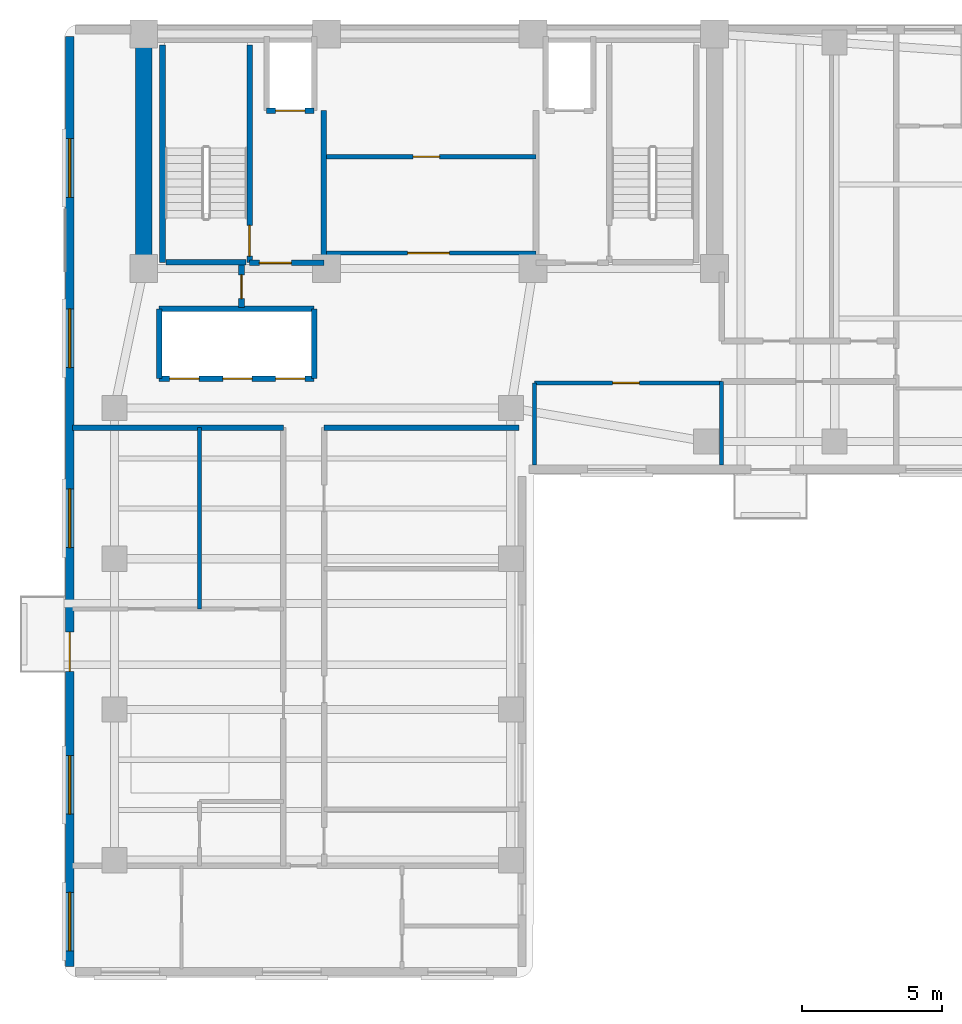
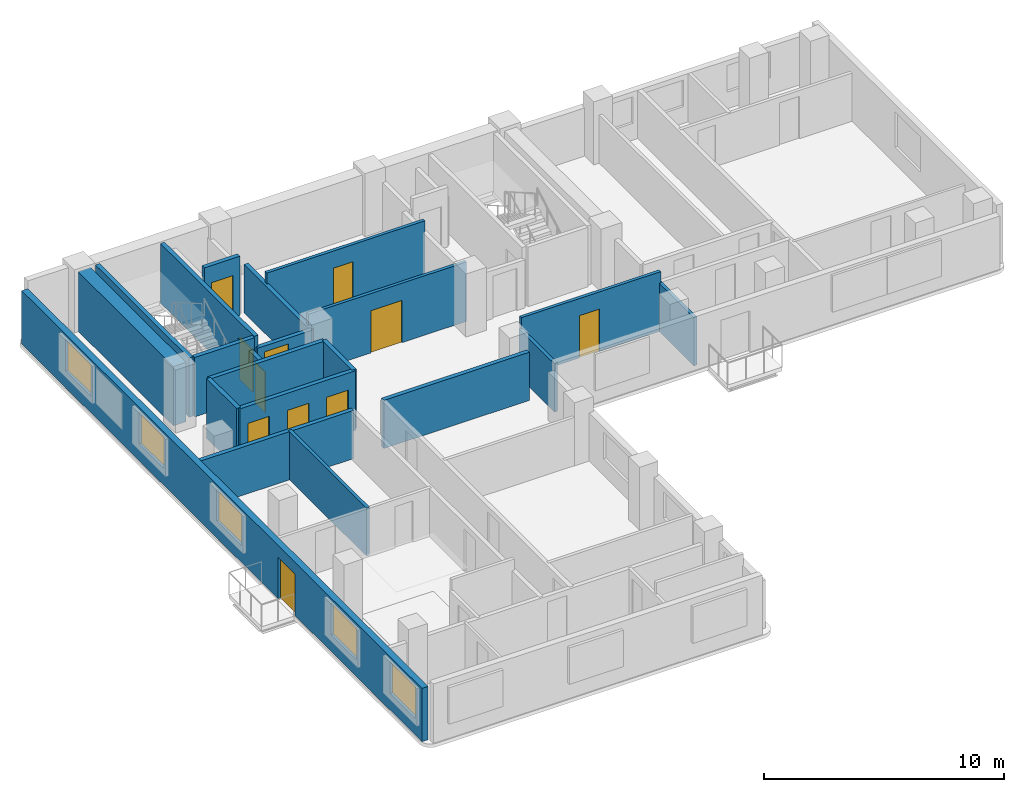
# One storey, part 3 of 7: 21 walls, 11 doors, 5 windows, 16 openings.
"""IFC4 building model written with IfcOpenShell, lengths in metres."""

from ifc_helpers import new_model, si_unit, direction, frame, frame_2d, origin, place, context, subcontext, project, spatial, rectangle, extrude, material, layer, layer_set, type_object, element, fill, save


model = new_model("IFC4")

# Units and contexts
model_context = context("Model", 3, precision=1e-05, world=origin(), true_north=direction((0.0, 1.0)))
body_context = subcontext(model_context, "Body", "Model", "MODEL_VIEW")
ifc_project = project(units=[si_unit("LENGTHUNIT", "METRE"), si_unit("AREAUNIT", "SQUARE_METRE"), si_unit("VOLUMEUNIT", "CUBIC_METRE"), si_unit("PLANEANGLEUNIT", "RADIAN"), si_unit("MASSUNIT", "GRAM", prefix="KILO")], contexts=[model_context])

# Site, building, storey
site_placement = place(None, origin())
site = spatial("IfcSite", under=ifc_project, at=site_placement, CompositionType="ELEMENT")
building_placement = place(site_placement, origin())
building = spatial("IfcBuilding", under=site, at=building_placement, Name="Kuzgunbayir Cultural Tower", CompositionType="ELEMENT")
storey_placement = place(building_placement, frame((0.0, 0.0, 185.60009765625)))
storey = spatial("IfcBuildingStorey", under=building, at=storey_placement, Name="L54", CompositionType="ELEMENT", Elevation=185.60009765625)

# Wall
ifc_material_1 = material(Name="Concrete C60/75", Category="concrete")
ifc_layer_1 = layer(ifc_material_1, 0.60009765625)
ifc_layer_set_1 = layer_set([ifc_layer_1], Name="Concrete C60/75")
wall_type_1 = type_object("IfcWallType", Name="WAL-CORE-600", PredefinedType="SHEAR", material=ifc_layer_set_1)
wall_1_placement = place(storey_placement, frame((6.449951171875, 33.800048828125, 0.0), z_axis=(0.0, 0.0, 1.0), x_axis=(0.0, 1.0, 0.0)))
element("IfcWall", 1, at=wall_1_placement, inside=storey, type_object=wall_type_1, Name="L54 T1 Core West Shear Wall", PredefinedType="SHEAR", context=body_context, shape_type="SweptSolid", body=[
    extrude(rectangle(XDim=7.949951171875, YDim=0.60009765625, at=frame_2d((3.97509765625, 0.0))), origin(), (0.0, 0.0, 1.0), 3.02001953125),
])

# Wall, openings, door, windows
ifc_material_2 = material(Name="Anatolian Cream Limestone", Category="masonry")
ifc_layer_2 = layer(ifc_material_2, 0.300048828125)
ifc_layer_set_2 = layer_set([ifc_layer_2], Name="Anatolian Cream Limestone")
wall_type_2 = type_object("IfcWallType", Name="WAL-EXT-STONE-300", PredefinedType="STANDARD", material=ifc_layer_set_2)
wall_2_placement = place(storey_placement, frame((3.800048828125, 42.10009765625, 0.0), z_axis=(0.0, 0.0, 1.0), x_axis=(0.0, -1.0, 0.0)))
wall_2 = element("IfcWall", 2, at=wall_2_placement, inside=storey, type_object=wall_type_2, Name="L54 Wing A West Limestone Wall", PredefinedType="STANDARD", context=body_context, shape_type="SweptSolid", body=[
    extrude(rectangle(XDim=33.300048828125, YDim=0.300048828125, at=frame_2d((16.64990234375, 0.0))), origin(), (0.0, 0.0, 1.0), 2.7099609375),
])
opening_1_placement = place(wall_2_placement, frame((21.330078125, 0.0, 0.0)))
opening_1 = element("IfcOpeningElement", 3, at=opening_1_placement, cuts=wall_2, Name="Opening BD-15", PredefinedType="OPENING", context=body_context, shape_type="SweptSolid", body=[
    extrude(rectangle(XDim=1.39990234375, YDim=2.10009765625, at=frame_2d((0.699951171875, 1.050048828125))), frame((0.0, 0.16015625, 0.0), z_axis=(0.0, -1.0, 0.0), x_axis=(1.0, 0.0, 0.0)), (0.0, 0.0, 1.0), 0.320068359375),
])
opening_2_placement = place(wall_2_placement, frame((16.199951171875, 0.0, 0.85009765625)))
opening_2 = element("IfcOpeningElement", 4, at=opening_2_placement, cuts=wall_2, Name="Opening WR-21", PredefinedType="OPENING", context=body_context, shape_type="SweptSolid", body=[
    extrude(rectangle(XDim=2.10009765625, YDim=1.610107421875, at=frame_2d((1.050048828125, 0.80517578125))), frame((0.0, 0.16015625, 0.0), z_axis=(0.0, -1.0, 0.0), x_axis=(1.0, 0.0, 0.0)), (0.0, 0.0, 1.0), 0.320068359375),
])
opening_3_placement = place(wall_2_placement, frame((30.64990234375, 0.0, 0.85009765625)))
opening_3 = element("IfcOpeningElement", 5, at=opening_3_placement, cuts=wall_2, Name="Opening WR-21", PredefinedType="OPENING", context=body_context, shape_type="SweptSolid", body=[
    extrude(rectangle(XDim=2.10009765625, YDim=1.610107421875, at=frame_2d((1.050048828125, 0.80517578125))), frame((0.0, 0.16015625, 0.0), z_axis=(0.0, -1.0, 0.0), x_axis=(1.0, 0.0, 0.0)), (0.0, 0.0, 1.0), 0.320068359375),
])
opening_4_placement = place(wall_2_placement, frame((25.75, 0.0, 0.85009765625)))
opening_4 = element("IfcOpeningElement", 6, at=opening_4_placement, cuts=wall_2, Name="Opening WR-21", PredefinedType="OPENING", context=body_context, shape_type="SweptSolid", body=[
    extrude(rectangle(XDim=2.10009765625, YDim=1.610107421875, at=frame_2d((1.050048828125, 0.80517578125))), frame((0.0, 0.16015625, 0.0), z_axis=(0.0, -1.0, 0.0), x_axis=(1.0, 0.0, 0.0)), (0.0, 0.0, 1.0), 0.320068359375),
])
opening_5_placement = place(wall_2_placement, frame((9.75, 0.0, 0.85009765625)))
opening_5 = element("IfcOpeningElement", 7, at=opening_5_placement, cuts=wall_2, Name="Opening WR-21", PredefinedType="OPENING", context=body_context, shape_type="SweptSolid", body=[
    extrude(rectangle(XDim=2.10009765625, YDim=1.610107421875, at=frame_2d((1.050048828125, 0.80517578125))), frame((0.0, 0.16015625, 0.0), z_axis=(0.0, -1.0, 0.0), x_axis=(1.0, 0.0, 0.0)), (0.0, 0.0, 1.0), 0.320068359375),
])
opening_6_placement = place(wall_2_placement, frame((3.64990234375, 0.0, 0.85009765625)))
opening_6 = element("IfcOpeningElement", 8, at=opening_6_placement, cuts=wall_2, Name="Opening WR-21", PredefinedType="OPENING", context=body_context, shape_type="SweptSolid", body=[
    extrude(rectangle(XDim=2.10009765625, YDim=1.610107421875, at=frame_2d((1.050048828125, 0.80517578125))), frame((0.0, 0.16015625, 0.0), z_axis=(0.0, -1.0, 0.0), x_axis=(1.0, 0.0, 0.0)), (0.0, 0.0, 1.0), 0.320068359375),
])
ifc_material_3 = material(Name="Thermally Broken Glazed Aluminium", Category="aluminium")
door_type_1 = type_object("IfcDoorType", Name="DR-BALCONY-150", OperationType="SLIDING_TO_RIGHT", PredefinedType="DOOR", material=ifc_material_3)
door_1_placement = place(opening_1_placement, origin())
door_1 = element("IfcDoor", 9, at=door_1_placement, inside=storey, type_object=door_type_1, Name="L54 West Balcony Sliding Door BAL-L54-WA2", OperationType="SLIDING_TO_RIGHT", OverallHeight=2.10009765625, OverallWidth=1.39990234375, PredefinedType="DOOR", context=body_context, shape_type="SweptSolid", body=[
    extrude(rectangle(XDim=1.39990234375, YDim=2.10009765625, at=frame_2d((0.699951171875, 1.050048828125))), frame((0.0, 0.02490234375, 0.0), z_axis=(0.0, -1.0, 0.0), x_axis=(1.0, 0.0, 0.0)), (0.0, 0.0, 1.0), 0.050048828125),
])
fill(opening_1, door_1)
ifc_material_4 = material(Name="Solar-Control Triple Glazing", Category="glass")
window_type = type_object("IfcWindowType", Name="WIN-RESID-21", PartitioningType="SINGLE_PANEL", PredefinedType="WINDOW", material=ifc_material_4)
window_1_placement = place(opening_2_placement, origin())
window_1 = element("IfcWindow", 10, at=window_1_placement, inside=storey, type_object=window_type, Name="L54 WAW Facade Window 5", OverallHeight=1.610107421875, OverallWidth=2.10009765625, PartitioningType="SINGLE_PANEL", PredefinedType="WINDOW", context=body_context, shape_type="SweptSolid", body=[
    extrude(rectangle(XDim=2.10009765625, YDim=1.610107421875, at=frame_2d((1.050048828125, 0.80517578125))), frame((0.0, 0.030029296875, 0.0), z_axis=(0.0, -1.0, 0.0), x_axis=(1.0, 0.0, 0.0)), (0.0, 0.0, 1.0), 0.06005859375),
])
fill(opening_2, window_1)
window_2_placement = place(opening_3_placement, origin())
window_2 = element("IfcWindow", 11, at=window_2_placement, inside=storey, type_object=window_type, Name="L54 WAW Facade Window 11", OverallHeight=1.610107421875, OverallWidth=2.10009765625, PartitioningType="SINGLE_PANEL", PredefinedType="WINDOW", context=body_context, shape_type="SweptSolid", body=[
    extrude(rectangle(XDim=2.10009765625, YDim=1.610107421875, at=frame_2d((1.050048828125, 0.80517578125))), frame((0.0, 0.030029296875, 0.0), z_axis=(0.0, -1.0, 0.0), x_axis=(1.0, 0.0, 0.0)), (0.0, 0.0, 1.0), 0.06005859375),
])
fill(opening_3, window_2)
window_3_placement = place(opening_4_placement, origin())
window_3 = element("IfcWindow", 12, at=window_3_placement, inside=storey, type_object=window_type, Name="L54 WAW Facade Window 12", OverallHeight=1.610107421875, OverallWidth=2.10009765625, PartitioningType="SINGLE_PANEL", PredefinedType="WINDOW", context=body_context, shape_type="SweptSolid", body=[
    extrude(rectangle(XDim=2.10009765625, YDim=1.610107421875, at=frame_2d((1.050048828125, 0.80517578125))), frame((0.0, 0.030029296875, 0.0), z_axis=(0.0, -1.0, 0.0), x_axis=(1.0, 0.0, 0.0)), (0.0, 0.0, 1.0), 0.06005859375),
])
fill(opening_4, window_3)
window_4_placement = place(opening_5_placement, origin())
window_4 = element("IfcWindow", 13, at=window_4_placement, inside=storey, type_object=window_type, Name="L54 WAW Facade Window 13", OverallHeight=1.610107421875, OverallWidth=2.10009765625, PartitioningType="SINGLE_PANEL", PredefinedType="WINDOW", context=body_context, shape_type="SweptSolid", body=[
    extrude(rectangle(XDim=2.10009765625, YDim=1.610107421875, at=frame_2d((1.050048828125, 0.80517578125))), frame((0.0, 0.030029296875, 0.0), z_axis=(0.0, -1.0, 0.0), x_axis=(1.0, 0.0, 0.0)), (0.0, 0.0, 1.0), 0.06005859375),
])
fill(opening_5, window_4)
window_5_placement = place(opening_6_placement, origin())
window_5 = element("IfcWindow", 14, at=window_5_placement, inside=storey, type_object=window_type, Name="L54 WAW Facade Window 14", OverallHeight=1.610107421875, OverallWidth=2.10009765625, PartitioningType="SINGLE_PANEL", PredefinedType="WINDOW", context=body_context, shape_type="SweptSolid", body=[
    extrude(rectangle(XDim=2.10009765625, YDim=1.610107421875, at=frame_2d((1.050048828125, 0.80517578125))), frame((0.0, 0.030029296875, 0.0), z_axis=(0.0, -1.0, 0.0), x_axis=(1.0, 0.0, 0.0)), (0.0, 0.0, 1.0), 0.06005859375),
])
fill(opening_6, window_5)

# Wall, opening, door
ifc_material_5 = material(Name="Acoustic Double-Stud Drywall", Category="gypsum")
ifc_layer_3 = layer(ifc_material_5, 0.14990234375)
ifc_layer_set_3 = layer_set([ifc_layer_3], Name="Acoustic Double-Stud Drywall")
wall_type_3 = type_object("IfcWallType", Name="WAL-PART-ACOUSTIC-150", PredefinedType="PARTITIONING", material=ifc_layer_set_3)
wall_3_placement = place(storey_placement, frame((12.89990234375, 34.35009765625, 0.0), z_axis=(0.0, 0.0, 1.0), x_axis=(1.0, 0.0, 0.0)))
wall_3 = element("IfcWall", 15, at=wall_3_placement, inside=storey, type_object=wall_type_3, Name="L54 Sky Core South Wall", PredefinedType="PARTITIONING", context=body_context, shape_type="SweptSolid", body=[
    extrude(rectangle(XDim=7.60009765625, YDim=0.14990234375, at=frame_2d((3.800048828125, 0.0))), origin(), (0.0, 0.0, 1.0), 3.02001953125),
])
opening_7_placement = place(wall_3_placement, frame((3.0, 0.0, 0.0)))
opening_7 = element("IfcOpeningElement", 16, at=opening_7_placement, cuts=wall_3, Name="Opening DC-150", PredefinedType="OPENING", context=body_context, shape_type="SweptSolid", body=[
    extrude(rectangle(XDim=1.5, YDim=2.14990234375, at=frame_2d((0.75, 1.074951171875))), frame((0.0, 0.0849609375, 0.0), z_axis=(0.0, -1.0, 0.0), x_axis=(1.0, 0.0, 0.0)), (0.0, 0.0, 1.0), 0.169921875),
])
ifc_material_6 = material(Name="Fire-Rated Veneered Oak Double Leaf", Category="wood")
door_type_2 = type_object("IfcDoorType", Name="DR-CORE-150", OperationType="DOUBLE_DOOR_SINGLE_SWING", PredefinedType="DOOR", material=ifc_material_6)
door_2_placement = place(opening_7_placement, origin())
door_2 = element("IfcDoor", 17, at=door_2_placement, inside=storey, type_object=door_type_2, Name="L54 Sky Conservatory Double Door", OperationType="DOUBLE_DOOR_SINGLE_SWING", OverallHeight=2.14990234375, OverallWidth=1.5, PredefinedType="DOOR", context=body_context, shape_type="SweptSolid", body=[
    extrude(rectangle(XDim=1.5, YDim=2.14990234375, at=frame_2d((0.75, 1.074951171875))), frame((0.0, 0.02490234375, 0.0), z_axis=(0.0, -1.0, 0.0), x_axis=(1.0, 0.0, 0.0)), (0.0, 0.0, 1.0), 0.050048828125),
])
fill(opening_7, door_2)

wall_4_placement = place(storey_placement, frame((12.89990234375, 37.800048828125, 0.0), z_axis=(0.0, 0.0, 1.0), x_axis=(1.0, 0.0, 0.0)))
wall_4 = element("IfcWall", 18, at=wall_4_placement, inside=storey, type_object=wall_type_3, Name="L54 Sky Core Mid Wall", PredefinedType="PARTITIONING", context=body_context, shape_type="SweptSolid", body=[
    extrude(rectangle(XDim=7.60009765625, YDim=0.14990234375, at=frame_2d((3.800048828125, 0.0))), origin(), (0.0, 0.0, 1.0), 3.02001953125),
])
opening_8_placement = place(wall_4_placement, frame((3.199951171875, 0.0, 0.0)))
opening_8 = element("IfcOpeningElement", 19, at=opening_8_placement, cuts=wall_4, Name="Opening DC-95", PredefinedType="OPENING", context=body_context, shape_type="SweptSolid", body=[
    extrude(rectangle(XDim=0.949951171875, YDim=2.14990234375, at=frame_2d((0.47509765625, 1.074951171875))), frame((0.0, 0.0849609375, 0.0), z_axis=(0.0, -1.0, 0.0), x_axis=(1.0, 0.0, 0.0)), (0.0, 0.0, 1.0), 0.169921875),
])
ifc_material_7 = material(Name="Fire-Rated Veneered Oak Leaf", Category="wood")
door_type_3 = type_object("IfcDoorType", Name="DR-CORE-95", OperationType="NOTDEFINED", PredefinedType="DOOR", material=ifc_material_7)
door_3_placement = place(opening_8_placement, origin())
door_3 = element("IfcDoor", 20, at=door_3_placement, inside=storey, type_object=door_type_3, Name="L54 Core Archive Door", OperationType="SINGLE_SWING_RIGHT", OverallHeight=2.14990234375, OverallWidth=0.949951171875, PredefinedType="DOOR", context=body_context, shape_type="SweptSolid", body=[
    extrude(rectangle(XDim=0.949951171875, YDim=2.14990234375, at=frame_2d((0.47509765625, 1.074951171875))), frame((0.0, 0.02490234375, 0.0), z_axis=(0.0, -1.0, 0.0), x_axis=(1.0, 0.0, 0.0)), (0.0, 0.0, 1.0), 0.050048828125),
])
fill(opening_8, door_3)

wall_5_placement = place(storey_placement, frame((20.449951171875, 29.699951171875, 0.0), z_axis=(0.0, 0.0, 1.0), x_axis=(1.0, 0.0, 0.0)))
wall_5 = element("IfcWall", 21, at=wall_5_placement, inside=storey, type_object=wall_type_3, Name="L54 Waist Alcove North Wall", PredefinedType="PARTITIONING", context=body_context, shape_type="SweptSolid", body=[
    extrude(rectangle(XDim=6.699951171875, YDim=0.14990234375, at=frame_2d((3.35009765625, 0.0))), origin(), (0.0, 0.0, 1.0), 3.02001953125),
])
opening_9_placement = place(wall_5_placement, frame((2.800048828125, 0.0, 0.0)))
opening_9 = element("IfcOpeningElement", 22, at=opening_9_placement, cuts=wall_5, Name="Opening DI-90", PredefinedType="OPENING", context=body_context, shape_type="SweptSolid", body=[
    extrude(rectangle(XDim=0.949951171875, YDim=2.14990234375, at=frame_2d((0.47509765625, 1.074951171875))), frame((0.0, 0.0849609375, 0.0), z_axis=(0.0, -1.0, 0.0), x_axis=(1.0, 0.0, 0.0)), (0.0, 0.0, 1.0), 0.169921875),
])
ifc_material_8 = material(Name="Veneered Oak Single Leaf", Category="wood")
door_type_4 = type_object("IfcDoorType", Name="DR-INT-90", OperationType="NOTDEFINED", PredefinedType="DOOR", material=ifc_material_8)
door_4_placement = place(opening_9_placement, origin())
door_4 = element("IfcDoor", 23, at=door_4_placement, inside=storey, type_object=door_type_4, Name="L54 Waist Alcove Door", OperationType="SINGLE_SWING_LEFT", OverallHeight=2.14990234375, OverallWidth=0.949951171875, PredefinedType="DOOR", context=body_context, shape_type="SweptSolid", body=[
    extrude(rectangle(XDim=0.949951171875, YDim=2.14990234375, at=frame_2d((0.47509765625, 1.074951171875))), frame((0.0, 0.02490234375, 0.0), z_axis=(0.0, -1.0, 0.0), x_axis=(1.0, 0.0, 0.0)), (0.0, 0.0, 1.0), 0.050048828125),
])
fill(opening_9, door_4)

# Walls
wall_6_placement = place(storey_placement, frame((20.449951171875, 26.75, 0.0), z_axis=(0.0, 0.0, 1.0), x_axis=(0.0, 1.0, 0.0)))
element("IfcWall", 24, at=wall_6_placement, inside=storey, type_object=wall_type_3, Name="L54 Waist Alcove West Wall", PredefinedType="PARTITIONING", context=body_context, shape_type="SweptSolid", body=[
    extrude(rectangle(XDim=2.949951171875, YDim=0.14990234375, at=frame_2d((1.47509765625, 0.0))), origin(), (0.0, 0.0, 1.0), 2.449951171875),
])
wall_7_placement = place(storey_placement, frame((27.14990234375, 26.75, 0.0), z_axis=(0.0, 0.0, 1.0), x_axis=(0.0, 1.0, 0.0)))
element("IfcWall", 25, at=wall_7_placement, inside=storey, type_object=wall_type_3, Name="L54 Waist Alcove East Wall", PredefinedType="PARTITIONING", context=body_context, shape_type="SweptSolid", body=[
    extrude(rectangle(XDim=3.0, YDim=0.14990234375, at=frame_2d((1.5, 0.0))), origin(), (0.0, 0.0, 1.0), 2.449951171875),
])
ifc_material_9 = material(Name="Aerated Concrete Blockwork", Category="masonry")
ifc_layer_4 = layer(ifc_material_9, 0.199951171875)
ifc_layer_set_4 = layer_set([ifc_layer_4], Name="Aerated Concrete Blockwork")
wall_type_4 = type_object("IfcWallType", Name="WAL-PART-FIRE-200", PredefinedType="PARTITIONING", material=ifc_layer_set_4)
wall_8_placement = place(storey_placement, frame((12.89990234375, 34.0, 0.0), z_axis=(0.0, 0.0, 1.0), x_axis=(0.0, 1.0, 0.0)))
element("IfcWall", 26, at=wall_8_placement, inside=storey, type_object=wall_type_4, Name="L54 FFL-1 Lobby East Fire Wall", PredefinedType="PARTITIONING", context=body_context, shape_type="SweptSolid", body=[
    extrude(rectangle(XDim=5.449951171875, YDim=0.199951171875, at=frame_2d((2.72509765625, 0.0))), origin(), (0.0, 0.0, 1.0), 2.449951171875),
])

# Wall, opening, door
wall_9_placement = place(storey_placement, frame((10.239990234375, 34.0, 0.0), z_axis=(0.0, 0.0, 1.0), x_axis=(1.0, 0.0, 0.0)))
wall_9 = element("IfcWall", 27, at=wall_9_placement, inside=storey, type_object=wall_type_4, Name="L54 FFL-1 Lobby South Fire Wall", PredefinedType="PARTITIONING", context=body_context, shape_type="SweptSolid", body=[
    extrude(rectangle(XDim=2.659912109375, YDim=0.199951171875, at=frame_2d((1.330078125, 0.0))), origin(), (0.0, 0.0, 1.0), 2.449951171875),
])
opening_10_placement = place(wall_9_placement, frame((0.35009765625, 0.0, 0.0)))
opening_10 = element("IfcOpeningElement", 28, at=opening_10_placement, cuts=wall_9, Name="Opening DR-FFL-90", PredefinedType="OPENING", context=body_context, shape_type="SweptSolid", body=[
    extrude(rectangle(XDim=1.14990234375, YDim=2.14990234375, at=frame_2d((0.574951171875, 1.074951171875))), frame((0.0, 0.10986328125, 0.0), z_axis=(0.0, -1.0, 0.0), x_axis=(1.0, 0.0, 0.0)), (0.0, 0.0, 1.0), 0.219970703125),
])
ifc_material_10 = material(Name="Steel S355J2", Category="steel")
door_type_5 = type_object("IfcDoorType", Name="DR-FFL-90", OperationType="NOTDEFINED", PredefinedType="DOOR", material=ifc_material_10)
door_5_placement = place(opening_10_placement, origin())
door_5 = element("IfcDoor", 29, at=door_5_placement, inside=storey, type_object=door_type_5, Name="L54 Firefighting Lobby 1 Door", OperationType="SINGLE_SWING_LEFT", OverallHeight=2.14990234375, OverallWidth=1.14990234375, PredefinedType="DOOR", context=body_context, shape_type="SweptSolid", body=[
    extrude(rectangle(XDim=1.14990234375, YDim=2.14990234375, at=frame_2d((0.574951171875, 1.074951171875))), frame((0.0, 0.02490234375, 0.0), z_axis=(0.0, -1.0, 0.0), x_axis=(1.0, 0.0, 0.0)), (0.0, 0.0, 1.0), 0.050048828125),
])
fill(opening_10, door_5)

wall_10_placement = place(storey_placement, frame((9.949951171875, 32.39990234375, 0.0), z_axis=(0.0, 0.0, 1.0), x_axis=(0.0, 1.0, 0.0)))
wall_10 = element("IfcWall", 30, at=wall_10_placement, inside=storey, type_object=wall_type_4, Name="L54 West Core Service Closet Wall", PredefinedType="PARTITIONING", context=body_context, shape_type="SweptSolid", body=[
    extrude(rectangle(XDim=1.52001953125, YDim=0.199951171875, at=frame_2d((0.760009765625, 0.0))), origin(), (0.0, 0.0, 1.0), 2.449951171875),
])
opening_11_placement = place(wall_10_placement, frame((0.320068359375, 0.0, 0.0)))
opening_11 = element("IfcOpeningElement", 31, at=opening_11_placement, cuts=wall_10, Name="Opening DR-RSR-60", PredefinedType="OPENING", context=body_context, shape_type="SweptSolid", body=[
    extrude(rectangle(XDim=0.85009765625, YDim=2.050048828125, at=frame_2d((0.425048828125, 1.02490234375))), frame((0.0, 0.10986328125, 0.0), z_axis=(0.0, -1.0, 0.0), x_axis=(1.0, 0.0, 0.0)), (0.0, 0.0, 1.0), 0.219970703125),
])
ifc_material_11 = material(Name="Steel Access Leaf", Category="steel")
door_type_6 = type_object("IfcDoorType", Name="DR-RISER-60", OperationType="NOTDEFINED", PredefinedType="DOOR", material=ifc_material_11)
door_6_placement = place(opening_11_placement, origin())
door_6 = element("IfcDoor", 32, at=door_6_placement, inside=storey, type_object=door_type_6, Name="L54 Cleaner Utility Store Door", OperationType="SINGLE_SWING_LEFT", OverallHeight=2.050048828125, OverallWidth=0.85009765625, PredefinedType="DOOR", context=body_context, shape_type="SweptSolid", body=[
    extrude(rectangle(XDim=0.85009765625, YDim=2.050048828125, at=frame_2d((0.425048828125, 1.02490234375))), frame((0.0, 0.02490234375, 0.0), z_axis=(0.0, -1.0, 0.0), x_axis=(1.0, 0.0, 0.0)), (0.0, 0.0, 1.0), 0.050048828125),
])
fill(opening_11, door_6)

# Walls
wall_11_placement = place(storey_placement, frame((3.89990234375, 28.10009765625, 0.0), z_axis=(0.0, 0.0, 1.0), x_axis=(1.0, 0.0, 0.0)))
element("IfcWall", 33, at=wall_11_placement, inside=storey, type_object=wall_type_4, Name="L54 North West Partition", PredefinedType="PARTITIONING", context=body_context, shape_type="SweptSolid", body=[
    extrude(rectangle(XDim=7.550048828125, YDim=0.199951171875, at=frame_2d((3.77490234375, 0.0))), origin(), (0.0, 0.0, 1.0), 2.449951171875),
])
wall_12_placement = place(storey_placement, frame((12.909912109375, 28.10009765625, 0.0), z_axis=(0.0, 0.0, 1.0), x_axis=(1.0, 0.0, 0.0)))
element("IfcWall", 34, at=wall_12_placement, inside=storey, type_object=wall_type_4, Name="L54 North East Partition", PredefinedType="PARTITIONING", context=body_context, shape_type="SweptSolid", body=[
    extrude(rectangle(XDim=6.989990234375, YDim=0.199951171875, at=frame_2d((3.4951171875, 0.0))), origin(), (0.0, 0.0, 1.0), 2.449951171875),
])
ifc_material_12 = material(Name="Moisture-Resistant Tile Partition", Category="gypsum")
ifc_layer_5 = layer(ifc_material_12, 0.14990234375)
ifc_layer_set_5 = layer_set([ifc_layer_5], Name="Moisture-Resistant Tile Partition")
wall_type_5 = type_object("IfcWallType", Name="WAL-PART-WET-150", PredefinedType="PARTITIONING", material=ifc_layer_set_5)
wall_13_placement = place(storey_placement, frame((8.449951171875, 21.60009765625, 0.0), z_axis=(0.0, 0.0, 1.0), x_axis=(0.0, 1.0, 0.0)))
element("IfcWall", 35, at=wall_13_placement, inside=storey, type_object=wall_type_5, Name="L54 Flat B Bedroom Bath Wall", PredefinedType="PARTITIONING", context=body_context, shape_type="SweptSolid", body=[
    extrude(rectangle(XDim=6.5, YDim=0.14990234375, at=frame_2d((3.25, 0.0))), origin(), (0.0, 0.0, 1.0), 2.449951171875),
])

# Wall, openings, doors
ifc_material_13 = material(Name="Concrete C40/50", Category="concrete")
ifc_layer_6 = layer(ifc_material_13, 0.199951171875)
ifc_layer_set_6 = layer_set([ifc_layer_6], Name="Concrete C40/50")
wall_type_6 = type_object("IfcWallType", Name="WAL-SHAFT-200", PredefinedType="MOVABLE", material=ifc_layer_set_6)
wall_14_placement = place(storey_placement, frame((7.0, 29.85009765625, 0.0), z_axis=(0.0, 0.0, 1.0), x_axis=(1.0, 0.0, 0.0)))
wall_14 = element("IfcWall", 36, at=wall_14_placement, inside=storey, type_object=wall_type_6, Name="L54 High-Rise Lift Shaft South Wall", PredefinedType="MOVABLE", context=body_context, shape_type="SweptSolid", body=[
    extrude(rectangle(XDim=5.550048828125, YDim=0.199951171875, at=frame_2d((2.77490234375, 0.0))), origin(), (0.0, 0.0, 1.0), 3.02001953125),
])
opening_12_placement = place(wall_14_placement, frame((0.3798828125, 0.0, 0.0)))
opening_12 = element("IfcOpeningElement", 37, at=opening_12_placement, cuts=wall_14, Name="Opening LD", PredefinedType="OPENING", context=body_context, shape_type="SweptSolid", body=[
    extrude(rectangle(XDim=1.050048828125, YDim=2.14990234375, at=frame_2d((0.52490234375, 1.074951171875))), frame((0.0, 0.10986328125, 0.0), z_axis=(0.0, -1.0, 0.0), x_axis=(1.0, 0.0, 0.0)), (0.0, 0.0, 1.0), 0.219970703125),
])
opening_13_placement = place(wall_14_placement, frame((2.280029296875, 0.0, 0.0)))
opening_13 = element("IfcOpeningElement", 38, at=opening_13_placement, cuts=wall_14, Name="Opening LD", PredefinedType="OPENING", context=body_context, shape_type="SweptSolid", body=[
    extrude(rectangle(XDim=1.050048828125, YDim=2.14990234375, at=frame_2d((0.52490234375, 1.074951171875))), frame((0.0, 0.10986328125, 0.0), z_axis=(0.0, -1.0, 0.0), x_axis=(1.0, 0.0, 0.0)), (0.0, 0.0, 1.0), 0.219970703125),
])
opening_14_placement = place(wall_14_placement, frame((4.169921875, 0.0, 0.0)))
opening_14 = element("IfcOpeningElement", 39, at=opening_14_placement, cuts=wall_14, Name="Opening LD", PredefinedType="OPENING", context=body_context, shape_type="SweptSolid", body=[
    extrude(rectangle(XDim=1.050048828125, YDim=2.14990234375, at=frame_2d((0.52490234375, 1.074951171875))), frame((0.0, 0.10986328125, 0.0), z_axis=(0.0, -1.0, 0.0), x_axis=(1.0, 0.0, 0.0)), (0.0, 0.0, 1.0), 0.219970703125),
])
ifc_material_14 = material(Name="Brushed Stainless Steel", Category="steel")
door_type_7 = type_object("IfcDoorType", Name="DR-LIFT-LANDING", OperationType="SLIDING_TO_LEFT", PredefinedType="DOOR", material=ifc_material_14)
door_7_placement = place(opening_12_placement, origin())
door_7 = element("IfcDoor", 40, at=door_7_placement, inside=storey, type_object=door_type_7, Name="L54 Lift PH-1 Landing Door", OperationType="SLIDING_TO_LEFT", OverallHeight=2.14990234375, OverallWidth=1.050048828125, PredefinedType="DOOR", context=body_context, shape_type="SweptSolid", body=[
    extrude(rectangle(XDim=1.050048828125, YDim=2.14990234375, at=frame_2d((0.52490234375, 1.074951171875))), frame((0.0, 0.02490234375, 0.0), z_axis=(0.0, -1.0, 0.0), x_axis=(1.0, 0.0, 0.0)), (0.0, 0.0, 1.0), 0.050048828125),
])
fill(opening_12, door_7)
door_8_placement = place(opening_13_placement, origin())
door_8 = element("IfcDoor", 41, at=door_8_placement, inside=storey, type_object=door_type_7, Name="L54 Lift PH-2 Landing Door", OperationType="SLIDING_TO_LEFT", OverallHeight=2.14990234375, OverallWidth=1.050048828125, PredefinedType="DOOR", context=body_context, shape_type="SweptSolid", body=[
    extrude(rectangle(XDim=1.050048828125, YDim=2.14990234375, at=frame_2d((0.52490234375, 1.074951171875))), frame((0.0, 0.02490234375, 0.0), z_axis=(0.0, -1.0, 0.0), x_axis=(1.0, 0.0, 0.0)), (0.0, 0.0, 1.0), 0.050048828125),
])
fill(opening_13, door_8)
door_9_placement = place(opening_14_placement, origin())
door_9 = element("IfcDoor", 42, at=door_9_placement, inside=storey, type_object=door_type_7, Name="L54 Lift PH-3 Landing Door", OperationType="SLIDING_TO_LEFT", OverallHeight=2.14990234375, OverallWidth=1.050048828125, PredefinedType="DOOR", context=body_context, shape_type="SweptSolid", body=[
    extrude(rectangle(XDim=1.050048828125, YDim=2.14990234375, at=frame_2d((0.52490234375, 1.074951171875))), frame((0.0, 0.02490234375, 0.0), z_axis=(0.0, -1.0, 0.0), x_axis=(1.0, 0.0, 0.0)), (0.0, 0.0, 1.0), 0.050048828125),
])
fill(opening_14, door_9)

# Walls
wall_15_placement = place(storey_placement, frame((7.0, 32.35009765625, 0.0), z_axis=(0.0, 0.0, 1.0), x_axis=(1.0, 0.0, 0.0)))
element("IfcWall", 43, at=wall_15_placement, inside=storey, type_object=wall_type_6, Name="L54 High-Rise Lift Shaft North Wall", PredefinedType="MOVABLE", context=body_context, shape_type="SweptSolid", body=[
    extrude(rectangle(XDim=5.550048828125, YDim=0.199951171875, at=frame_2d((2.77490234375, 0.0))), origin(), (0.0, 0.0, 1.0), 3.02001953125),
])
for number, where, z_axis, x_axis, name in (
    (44, (7.0, 29.85009765625, 0.0), (0.0, 0.0, 1.0), (0.0, 1.0, 0.0), "L54 High-Rise Lift Shaft West Wall"),
    (45, (12.550048828125, 29.85009765625, 0.0), (0.0, 0.0, 1.0), (0.0, 1.0, 0.0), "L54 High-Rise Lift Shaft East Wall"),
):
    element("IfcWall", number, at=place(storey_placement, frame(where, z_axis=z_axis, x_axis=x_axis)), inside=storey, type_object=wall_type_6, Name=name, PredefinedType="MOVABLE", context=body_context, shape_type="SweptSolid", body=[
        extrude(rectangle(XDim=2.5, YDim=0.199951171875, at=frame_2d((1.25, 0.0))), origin(), (0.0, 0.0, 1.0), 3.02001953125),
    ])

# Wall, opening, door
wall_16_placement = place(storey_placement, frame((10.85009765625, 39.449951171875, 0.0), z_axis=(0.0, 0.0, 1.0), x_axis=(1.0, 0.0, 0.0)))
wall_16 = element("IfcWall", 46, at=wall_16_placement, inside=storey, type_object=wall_type_6, Name="L54 FFL-1 Lift Front Wall", PredefinedType="MOVABLE", context=body_context, shape_type="SweptSolid", body=[
    extrude(rectangle(XDim=1.699951171875, YDim=0.199951171875, at=frame_2d((0.85009765625, 0.0))), origin(), (0.0, 0.0, 1.0), 3.02001953125),
])
opening_15_placement = place(wall_16_placement, frame((0.320068359375, 0.0, 0.0)))
opening_15 = element("IfcOpeningElement", 47, at=opening_15_placement, cuts=wall_16, Name="Opening LD", PredefinedType="OPENING", context=body_context, shape_type="SweptSolid", body=[
    extrude(rectangle(XDim=1.050048828125, YDim=2.14990234375, at=frame_2d((0.52490234375, 1.074951171875))), frame((0.0, 0.10986328125, 0.0), z_axis=(0.0, -1.0, 0.0), x_axis=(1.0, 0.0, 0.0)), (0.0, 0.0, 1.0), 0.219970703125),
])
door_10_placement = place(opening_15_placement, origin())
door_10 = element("IfcDoor", 48, at=door_10_placement, inside=storey, type_object=door_type_7, Name="L54 Lift FFL-1 Landing Door", OperationType="SLIDING_TO_LEFT", OverallHeight=2.14990234375, OverallWidth=1.050048828125, PredefinedType="DOOR", context=body_context, shape_type="SweptSolid", body=[
    extrude(rectangle(XDim=1.050048828125, YDim=2.14990234375, at=frame_2d((0.52490234375, 1.074951171875))), frame((0.0, 0.02490234375, 0.0), z_axis=(0.0, -1.0, 0.0), x_axis=(1.0, 0.0, 0.0)), (0.0, 0.0, 1.0), 0.050048828125),
])
fill(opening_15, door_10)

# Wall
ifc_layer_7 = layer(ifc_material_13, 0.199951171875)
ifc_layer_set_7 = layer_set([ifc_layer_7], Name="Concrete C40/50")
wall_type_7 = type_object("IfcWallType", Name="WAL-STAIR-RC-200", PredefinedType="SHEAR", material=ifc_layer_set_7)
wall_17_placement = place(storey_placement, frame((7.1201171875, 34.02001953125, 0.0), z_axis=(0.0, 0.0, 1.0), x_axis=(0.0, 1.0, 0.0)))
element("IfcWall", 49, at=wall_17_placement, inside=storey, type_object=wall_type_7, Name="L54 Stair ST-1 West Structural Wall", PredefinedType="SHEAR", context=body_context, shape_type="SweptSolid", body=[
    extrude(rectangle(XDim=7.780029296875, YDim=0.199951171875, at=frame_2d((3.89013671875, 0.0))), origin(), (0.0, 0.0, 1.0), 3.02001953125),
])

# Wall, opening, door
wall_18_placement = place(storey_placement, frame((10.239990234375, 34.02001953125, 0.0), z_axis=(0.0, 0.0, 1.0), x_axis=(0.0, 1.0, 0.0)))
wall_18 = element("IfcWall", 50, at=wall_18_placement, inside=storey, type_object=wall_type_7, Name="L54 Stair ST-1 East Structural Wall", PredefinedType="SHEAR", context=body_context, shape_type="SweptSolid", body=[
    extrude(rectangle(XDim=7.780029296875, YDim=0.199951171875, at=frame_2d((3.89013671875, 0.0))), origin(), (0.0, 0.0, 1.0), 3.02001953125),
])
opening_16_placement = place(wall_18_placement, frame((0.219970703125, 0.0, 0.0)))
opening_16 = element("IfcOpeningElement", 51, at=opening_16_placement, cuts=wall_18, Name="Opening DR-STAIR-90", PredefinedType="OPENING", context=body_context, shape_type="SweptSolid", body=[
    extrude(rectangle(XDim=1.10009765625, YDim=2.14990234375, at=frame_2d((0.550048828125, 1.074951171875))), frame((0.0, 0.10986328125, 0.0), z_axis=(0.0, -1.0, 0.0), x_axis=(1.0, 0.0, 0.0)), (0.0, 0.0, 1.0), 0.219970703125),
])
door_type_8 = type_object("IfcDoorType", Name="DR-STAIR-90", OperationType="NOTDEFINED", PredefinedType="DOOR", material=ifc_material_10)
door_11_placement = place(opening_16_placement, origin())
door_11 = element("IfcDoor", 52, at=door_11_placement, inside=storey, type_object=door_type_8, Name="L54 Stair ST-1 Fire Door", OperationType="SINGLE_SWING_RIGHT", OverallHeight=2.14990234375, OverallWidth=1.10009765625, PredefinedType="DOOR", context=body_context, shape_type="SweptSolid", body=[
    extrude(rectangle(XDim=1.10009765625, YDim=2.14990234375, at=frame_2d((0.550048828125, 1.074951171875))), frame((0.0, 0.02490234375, 0.0), z_axis=(0.0, -1.0, 0.0), x_axis=(1.0, 0.0, 0.0)), (0.0, 0.0, 1.0), 0.050048828125),
])
fill(opening_16, door_11)

# Wall
wall_19_placement = place(storey_placement, frame((7.239990234375, 34.02001953125, 0.0), z_axis=(0.0, 0.0, 1.0), x_axis=(1.0, 0.0, 0.0)))
element("IfcWall", 53, at=wall_19_placement, inside=storey, type_object=wall_type_7, Name="L54 Stair ST-1 South Structural Wall", PredefinedType="SHEAR", context=body_context, shape_type="SweptSolid", body=[
    extrude(rectangle(XDim=2.880126953125, YDim=0.199951171875, at=frame_2d((1.43994140625, 0.0))), origin(), (0.0, 0.0, 1.0), 3.02001953125),
])

save(model, "model.ifc")
